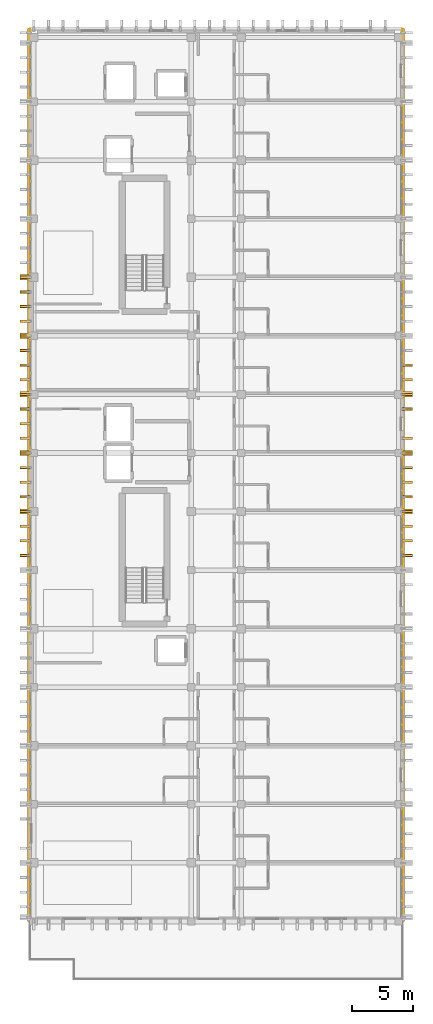
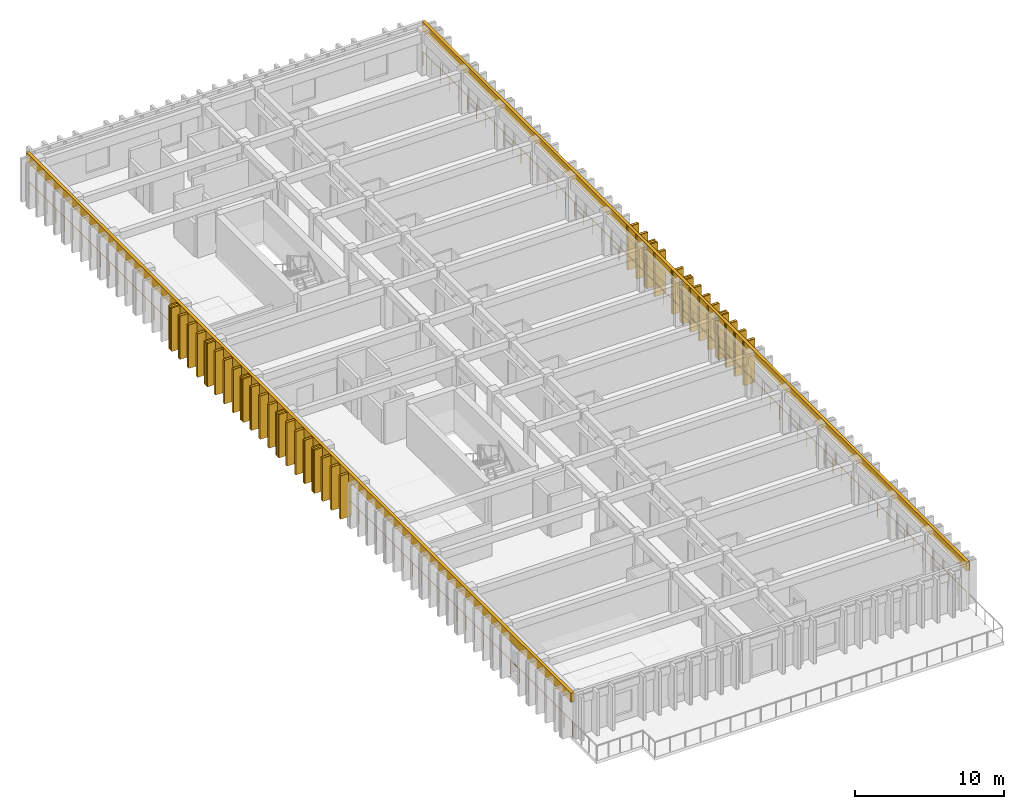
# One storey, part 51 of 53: 35 coverings, 33 shading devices, 2 railings.
"""IFC4 building model written with IfcOpenShell, lengths in metres."""

from ifc_helpers import new_model, si_unit, direction, frame, origin, origin_2d, place, context, subcontext, project, spatial, rectangle, circle, extrude, material, layer, layer_set, type_object, element, save


model = new_model("IFC4")

# Units and contexts
model_context = context("Model", 3, precision=1e-05, world=origin(), true_north=direction((0.0, 1.0)))
body_context = subcontext(model_context, "Body", "Model", "MODEL_VIEW")
ifc_project = project(units=[si_unit("LENGTHUNIT", "METRE"), si_unit("AREAUNIT", "SQUARE_METRE"), si_unit("VOLUMEUNIT", "CUBIC_METRE"), si_unit("PLANEANGLEUNIT", "RADIAN"), si_unit("MASSUNIT", "GRAM", prefix="KILO")], contexts=[model_context])

# Site, building, storey
site_placement = place(None, origin())
site = spatial("IfcSite", under=ifc_project, at=site_placement, CompositionType="ELEMENT")
building_placement = place(site_placement, origin())
building = spatial("IfcBuilding", under=site, at=building_placement, Name="Nakhvara Creek Congress Hotel", CompositionType="ELEMENT")
storey_placement = place(building_placement, frame((0.0, 0.0, 35.39990234375)))
storey = spatial("IfcBuildingStorey", under=building, at=storey_placement, Name="L08", CompositionType="ELEMENT", Elevation=35.39990234375)

# Coverings
ifc_material_1 = material(Name="Honed pale Omani limestone architectural cladding", Category="masonry")
ifc_layer_1 = layer(ifc_material_1, 0.219970703125)
ifc_layer_set_1 = layer_set([ifc_layer_1], Name="Honed pale Omani limestone architectural cladding")
covering_type_1 = type_object("IfcCoveringType", Name="COV-FIN-850", PredefinedType="CLADDING", material=ifc_layer_set_1)
for number, where, z_axis, x_axis, name in (
    (1, (180.054931640625, 82.800048828125, 0.0), (0.0, 0.0, 1.0), (0.0, 1.0, 0.0), "Pale Limestone Fin Cladding CF01-2022"),
    (2, (148.7451171875, 82.800048828125, 0.0), (0.0, 0.0, 1.0), (0.0, 1.0, 0.0), "Pale Limestone Fin Cladding CF01-2023"),
    (3, (180.054931640625, 84.0, 0.0), (0.0, 0.0, 1.0), (0.0, 1.0, 0.0), "Pale Limestone Fin Cladding CF01-2024"),
    (4, (148.7451171875, 84.0, 0.0), (0.0, 0.0, 1.0), (0.0, 1.0, 0.0), "Pale Limestone Fin Cladding CF01-2025"),
    (5, (180.054931640625, 85.199951171875, 0.0), (0.0, 0.0, 1.0), (0.0, 1.0, 0.0), "Pale Limestone Fin Cladding CF01-2026"),
    (6, (148.7451171875, 85.199951171875, 0.0), (0.0, 0.0, 1.0), (0.0, 1.0, 0.0), "Pale Limestone Fin Cladding CF01-2027"),
):
    element("IfcCovering", number, at=place(storey_placement, frame(where, z_axis=z_axis, x_axis=x_axis)), inside=storey, type_object=covering_type_1, Name=name, PredefinedType="CLADDING", context=body_context, shape_type="SweptSolid", body=[
        extrude(rectangle(XDim=0.219970703125, YDim=0.85009765625, at=origin_2d()), origin(), (0.0, 0.0, 1.0), 3.56005859375),
    ])
for number, where, z_axis, x_axis, name in (
    (7, (180.054931640625, 86.39990234375, 0.0), (0.0, 0.0, 1.0), (0.0, 1.0, 0.0), "Pale Limestone Fin Cladding CF01-2028"),
    (8, (148.7451171875, 86.39990234375, 0.0), (0.0, 0.0, 1.0), (0.0, 1.0, 0.0), "Pale Limestone Fin Cladding CF01-2029"),
):
    element("IfcCovering", number, at=place(storey_placement, frame(where, z_axis=z_axis, x_axis=x_axis)), inside=storey, type_object=covering_type_1, Name=name, PredefinedType="CLADDING", context=body_context, shape_type="SweptSolid", body=[
        extrude(rectangle(XDim=0.43994140625, YDim=0.85009765625, at=origin_2d()), origin(), (0.0, 0.0, 1.0), 3.56005859375),
    ])
for number, where, z_axis, x_axis, name in (
    (9, (180.054931640625, 87.60009765625, 0.0), (0.0, 0.0, 1.0), (0.0, 1.0, 0.0), "Pale Limestone Fin Cladding CF01-2030"),
    (10, (148.7451171875, 87.60009765625, 0.0), (0.0, 0.0, 1.0), (0.0, 1.0, 0.0), "Pale Limestone Fin Cladding CF01-2031"),
    (11, (180.054931640625, 88.800048828125, 0.0), (0.0, 0.0, 1.0), (0.0, 1.0, 0.0), "Pale Limestone Fin Cladding CF01-2032"),
    (12, (148.7451171875, 88.800048828125, 0.0), (0.0, 0.0, 1.0), (0.0, 1.0, 0.0), "Pale Limestone Fin Cladding CF01-2033"),
    (13, (180.054931640625, 90.0, 0.0), (0.0, 0.0, 1.0), (0.0, 1.0, 0.0), "Pale Limestone Fin Cladding CF01-2034"),
    (14, (148.7451171875, 90.0, 0.0), (0.0, 0.0, 1.0), (0.0, 1.0, 0.0), "Pale Limestone Fin Cladding CF01-2035"),
):
    element("IfcCovering", number, at=place(storey_placement, frame(where, z_axis=z_axis, x_axis=x_axis)), inside=storey, type_object=covering_type_1, Name=name, PredefinedType="CLADDING", context=body_context, shape_type="SweptSolid", body=[
        extrude(rectangle(XDim=0.219970703125, YDim=0.85009765625, at=origin_2d()), origin(), (0.0, 0.0, 1.0), 3.56005859375),
    ])
for number, where, z_axis, x_axis, name in (
    (15, (180.054931640625, 91.199951171875, 0.0), (0.0, 0.0, 1.0), (0.0, 1.0, 0.0), "Pale Limestone Fin Cladding CF01-2036"),
    (16, (148.7451171875, 91.199951171875, 0.0), (0.0, 0.0, 1.0), (0.0, 1.0, 0.0), "Pale Limestone Fin Cladding CF01-2037"),
):
    element("IfcCovering", number, at=place(storey_placement, frame(where, z_axis=z_axis, x_axis=x_axis)), inside=storey, type_object=covering_type_1, Name=name, PredefinedType="CLADDING", context=body_context, shape_type="SweptSolid", body=[
        extrude(rectangle(XDim=0.43994140625, YDim=0.85009765625, at=origin_2d()), origin(), (0.0, 0.0, 1.0), 3.56005859375),
    ])
for number, where, z_axis, x_axis, name in (
    (17, (180.054931640625, 92.39990234375, 0.0), (0.0, 0.0, 1.0), (0.0, 1.0, 0.0), "Pale Limestone Fin Cladding CF01-2038"),
    (18, (148.7451171875, 92.39990234375, 0.0), (0.0, 0.0, 1.0), (0.0, 1.0, 0.0), "Pale Limestone Fin Cladding CF01-2039"),
    (19, (148.7451171875, 93.60009765625, 0.0), (0.0, 0.0, 1.0), (0.0, 1.0, 0.0), "Pale Limestone Fin Cladding CF01-2040"),
    (20, (180.054931640625, 94.800048828125, 0.0), (0.0, 0.0, 1.0), (0.0, 1.0, 0.0), "Pale Limestone Fin Cladding CF01-2041"),
    (21, (148.7451171875, 94.800048828125, 0.0), (0.0, 0.0, 1.0), (0.0, 1.0, 0.0), "Pale Limestone Fin Cladding CF01-2042"),
):
    element("IfcCovering", number, at=place(storey_placement, frame(where, z_axis=z_axis, x_axis=x_axis)), inside=storey, type_object=covering_type_1, Name=name, PredefinedType="CLADDING", context=body_context, shape_type="SweptSolid", body=[
        extrude(rectangle(XDim=0.219970703125, YDim=0.85009765625, at=origin_2d()), origin(), (0.0, 0.0, 1.0), 3.56005859375),
    ])
for number, where, z_axis, x_axis, name in (
    (22, (180.054931640625, 96.0, 0.0), (0.0, 0.0, 1.0), (0.0, 1.0, 0.0), "Pale Limestone Fin Cladding CF01-2043"),
    (23, (148.7451171875, 96.0, 0.0), (0.0, 0.0, 1.0), (0.0, 1.0, 0.0), "Pale Limestone Fin Cladding CF01-2044"),
):
    element("IfcCovering", number, at=place(storey_placement, frame(where, z_axis=z_axis, x_axis=x_axis)), inside=storey, type_object=covering_type_1, Name=name, PredefinedType="CLADDING", context=body_context, shape_type="SweptSolid", body=[
        extrude(rectangle(XDim=0.43994140625, YDim=0.85009765625, at=origin_2d()), origin(), (0.0, 0.0, 1.0), 3.56005859375),
    ])
for number, where, z_axis, x_axis, name in (
    (24, (180.054931640625, 97.199951171875, 0.0), (0.0, 0.0, 1.0), (0.0, 1.0, 0.0), "Pale Limestone Fin Cladding CF01-2045"),
    (25, (148.7451171875, 97.199951171875, 0.0), (0.0, 0.0, 1.0), (0.0, 1.0, 0.0), "Pale Limestone Fin Cladding CF01-2046"),
    (26, (180.054931640625, 98.39990234375, 0.0), (0.0, 0.0, 1.0), (0.0, 1.0, 0.0), "Pale Limestone Fin Cladding CF01-2047"),
    (27, (148.7451171875, 98.39990234375, 0.0), (0.0, 0.0, 1.0), (0.0, 1.0, 0.0), "Pale Limestone Fin Cladding CF01-2048"),
    (28, (148.7451171875, 99.60009765625, 0.0), (0.0, 0.0, 1.0), (0.0, 1.0, 0.0), "Pale Limestone Fin Cladding CF01-2050"),
):
    element("IfcCovering", number, at=place(storey_placement, frame(where, z_axis=z_axis, x_axis=x_axis)), inside=storey, type_object=covering_type_1, Name=name, PredefinedType="CLADDING", context=body_context, shape_type="SweptSolid", body=[
        extrude(rectangle(XDim=0.219970703125, YDim=0.85009765625, at=origin_2d()), origin(), (0.0, 0.0, 1.0), 3.56005859375),
    ])
covering_1_placement = place(storey_placement, frame((148.7451171875, 100.800048828125, 0.0), z_axis=(0.0, 0.0, 1.0), x_axis=(0.0, 1.0, 0.0)))
element("IfcCovering", 29, at=covering_1_placement, inside=storey, type_object=covering_type_1, Name="Pale Limestone Fin Cladding CF01-2052", PredefinedType="CLADDING", context=body_context, shape_type="SweptSolid", body=[
    extrude(rectangle(XDim=0.43994140625, YDim=0.85009765625, at=origin_2d()), origin(), (0.0, 0.0, 1.0), 3.56005859375),
])
for number, where, z_axis, x_axis, name in (
    (30, (148.7451171875, 102.0, 0.0), (0.0, 0.0, 1.0), (0.0, 1.0, 0.0), "Pale Limestone Fin Cladding CF01-2054"),
    (31, (148.7451171875, 103.199951171875, 0.0), (0.0, 0.0, 1.0), (0.0, 1.0, 0.0), "Pale Limestone Fin Cladding CF01-2056"),
    (32, (148.7451171875, 104.39990234375, 0.0), (0.0, 0.0, 1.0), (0.0, 1.0, 0.0), "Pale Limestone Fin Cladding CF01-2058"),
):
    element("IfcCovering", number, at=place(storey_placement, frame(where, z_axis=z_axis, x_axis=x_axis)), inside=storey, type_object=covering_type_1, Name=name, PredefinedType="CLADDING", context=body_context, shape_type="SweptSolid", body=[
        extrude(rectangle(XDim=0.219970703125, YDim=0.85009765625, at=origin_2d()), origin(), (0.0, 0.0, 1.0), 3.56005859375),
    ])
covering_2_placement = place(storey_placement, frame((148.7451171875, 105.60009765625, 0.0), z_axis=(0.0, 0.0, 1.0), x_axis=(0.0, 1.0, 0.0)))
element("IfcCovering", 33, at=covering_2_placement, inside=storey, type_object=covering_type_1, Name="Pale Limestone Fin Cladding CF01-2060", PredefinedType="CLADDING", context=body_context, shape_type="SweptSolid", body=[
    extrude(rectangle(XDim=0.43994140625, YDim=0.85009765625, at=origin_2d()), origin(), (0.0, 0.0, 1.0), 3.56005859375),
])
ifc_layer_2 = layer(ifc_material_1, 0.179931640625)
ifc_layer_set_2 = layer_set([ifc_layer_2], Name="Honed pale Omani limestone architectural cladding")
covering_type_2 = type_object("IfcCoveringType", Name="COV-SPN-180", PredefinedType="CLADDING", material=ifc_layer_set_2)
for number, where, z_axis, x_axis, name in (
    (34, (179.739990234375, 89.39990234375, 2.91015625), (0.0, 0.0, 1.0), (0.0, 1.0, 0.0), "Pale Limestone Spandrel Band CF02-0073"),
    (35, (149.06005859375, 89.39990234375, 2.91015625), (0.0, 0.0, 1.0), (0.0, 1.0, 0.0), "Pale Limestone Spandrel Band CF02-0074"),
):
    element("IfcCovering", number, at=place(storey_placement, frame(where, z_axis=z_axis, x_axis=x_axis)), inside=storey, type_object=covering_type_2, Name=name, PredefinedType="CLADDING", context=body_context, shape_type="SweptSolid", body=[
        extrude(rectangle(XDim=73.199951171875, YDim=0.219970703125, at=origin_2d()), origin(), (0.0, 0.0, 1.0), 0.72998046875),
    ])

# Railings
ifc_material_2 = material(Name="Brushed stainless steel 316L", Category="steel")
railing_type = type_object("IfcRailingType", Name="RL-GUARD-1200", PredefinedType="GUARDRAIL", material=ifc_material_2)
railing_1_placement = place(storey_placement, frame((179.669921875, 52.8798828125, 0.0)))
element("IfcRailing", 36, at=railing_1_placement, inside=storey, type_object=railing_type, Name="Perimeter Safety Rail East L08", PredefinedType="GUARDRAIL", context=body_context, shape_type="SweptSolid", body=[
    extrude(circle(Radius=0.02392578125, at=origin_2d()), frame((0.0, 0.0146484375, 1.17578125), z_axis=(0.0, 1.0, 0.0), x_axis=(-1.0, 0.0, 0.0)), (0.0, 0.0, 1.0), 73.0107421875),
    extrude(circle(Radius=0.02099609375, at=origin_2d()), origin(), (0.0, 0.0, 1.0), 1.1806640625),
    extrude(circle(Radius=0.02099609375, at=origin_2d()), frame((0.0, 1.197265625, 0.0)), (0.0, 0.0, 1.0), 1.1806640625),
    extrude(circle(Radius=0.02099609375, at=origin_2d()), frame((0.0, 2.394775390625, 0.0)), (0.0, 0.0, 1.0), 1.1806640625),
    extrude(circle(Radius=0.02099609375, at=origin_2d()), frame((0.0, 3.592041015625, 0.0)), (0.0, 0.0, 1.0), 1.1806640625),
    extrude(circle(Radius=0.02099609375, at=origin_2d()), frame((0.0, 4.78955078125, 0.0)), (0.0, 0.0, 1.0), 1.1806640625),
    extrude(circle(Radius=0.02099609375, at=origin_2d()), frame((0.0, 5.98681640625, 0.0)), (0.0, 0.0, 1.0), 1.1806640625),
    extrude(circle(Radius=0.02099609375, at=origin_2d()), frame((0.0, 7.184326171875, 0.0)), (0.0, 0.0, 1.0), 1.1806640625),
    extrude(circle(Radius=0.02099609375, at=origin_2d()), frame((0.0, 8.381591796875, 0.0)), (0.0, 0.0, 1.0), 1.1806640625),
    extrude(circle(Radius=0.02099609375, at=origin_2d()), frame((0.0, 9.5791015625, 0.0)), (0.0, 0.0, 1.0), 1.1806640625),
    extrude(circle(Radius=0.02099609375, at=origin_2d()), frame((0.0, 10.7763671875, 0.0)), (0.0, 0.0, 1.0), 1.1806640625),
    extrude(circle(Radius=0.02099609375, at=origin_2d()), frame((0.0, 11.973876953125, 0.0)), (0.0, 0.0, 1.0), 1.1806640625),
    extrude(circle(Radius=0.02099609375, at=origin_2d()), frame((0.0, 13.171142578125, 0.0)), (0.0, 0.0, 1.0), 1.1806640625),
    extrude(circle(Radius=0.02099609375, at=origin_2d()), frame((0.0, 14.36865234375, 0.0)), (0.0, 0.0, 1.0), 1.1806640625),
    extrude(circle(Radius=0.02099609375, at=origin_2d()), frame((0.0, 15.56591796875, 0.0)), (0.0, 0.0, 1.0), 1.1806640625),
    extrude(circle(Radius=0.02099609375, at=origin_2d()), frame((0.0, 16.76318359375, 0.0)), (0.0, 0.0, 1.0), 1.1806640625),
    extrude(circle(Radius=0.02099609375, at=origin_2d()), frame((0.0, 17.960693359375, 0.0)), (0.0, 0.0, 1.0), 1.1806640625),
    extrude(circle(Radius=0.02099609375, at=origin_2d()), frame((0.0, 19.157958984375, 0.0)), (0.0, 0.0, 1.0), 1.1806640625),
    extrude(circle(Radius=0.02099609375, at=origin_2d()), frame((0.0, 20.35546875, 0.0)), (0.0, 0.0, 1.0), 1.1806640625),
    extrude(circle(Radius=0.02099609375, at=origin_2d()), frame((0.0, 21.552734375, 0.0)), (0.0, 0.0, 1.0), 1.1806640625),
    extrude(circle(Radius=0.02099609375, at=origin_2d()), frame((0.0, 22.750244140625, 0.0)), (0.0, 0.0, 1.0), 1.1806640625),
    extrude(circle(Radius=0.02099609375, at=origin_2d()), frame((0.0, 23.947509765625, 0.0)), (0.0, 0.0, 1.0), 1.1806640625),
    extrude(circle(Radius=0.02099609375, at=origin_2d()), frame((0.0, 25.14501953125, 0.0)), (0.0, 0.0, 1.0), 1.1806640625),
    extrude(circle(Radius=0.02099609375, at=origin_2d()), frame((0.0, 26.34228515625, 0.0)), (0.0, 0.0, 1.0), 1.1806640625),
    extrude(circle(Radius=0.02099609375, at=origin_2d()), frame((0.0, 27.539794921875, 0.0)), (0.0, 0.0, 1.0), 1.1806640625),
    extrude(circle(Radius=0.02099609375, at=origin_2d()), frame((0.0, 28.737060546875, 0.0)), (0.0, 0.0, 1.0), 1.1806640625),
    extrude(circle(Radius=0.02099609375, at=origin_2d()), frame((0.0, 29.934326171875, 0.0)), (0.0, 0.0, 1.0), 1.1806640625),
    extrude(circle(Radius=0.02099609375, at=origin_2d()), frame((0.0, 31.1318359375, 0.0)), (0.0, 0.0, 1.0), 1.1806640625),
    extrude(circle(Radius=0.02099609375, at=origin_2d()), frame((0.0, 32.3291015625, 0.0)), (0.0, 0.0, 1.0), 1.1806640625),
    extrude(circle(Radius=0.02099609375, at=origin_2d()), frame((0.0, 33.526611328125, 0.0)), (0.0, 0.0, 1.0), 1.1806640625),
    extrude(circle(Radius=0.02099609375, at=origin_2d()), frame((0.0, 34.723876953125, 0.0)), (0.0, 0.0, 1.0), 1.1806640625),
    extrude(circle(Radius=0.02099609375, at=origin_2d()), frame((0.0, 35.92138671875, 0.0)), (0.0, 0.0, 1.0), 1.1806640625),
    extrude(circle(Radius=0.02099609375, at=origin_2d()), frame((0.0, 37.11865234375, 0.0)), (0.0, 0.0, 1.0), 1.1806640625),
    extrude(circle(Radius=0.02099609375, at=origin_2d()), frame((0.0, 38.316162109375, 0.0)), (0.0, 0.0, 1.0), 1.1806640625),
    extrude(circle(Radius=0.02099609375, at=origin_2d()), frame((0.0, 39.513427734375, 0.0)), (0.0, 0.0, 1.0), 1.1806640625),
    extrude(circle(Radius=0.02099609375, at=origin_2d()), frame((0.0, 40.7109375, 0.0)), (0.0, 0.0, 1.0), 1.1806640625),
    extrude(circle(Radius=0.02099609375, at=origin_2d()), frame((0.0, 41.908203125, 0.0)), (0.0, 0.0, 1.0), 1.1806640625),
    extrude(circle(Radius=0.02099609375, at=origin_2d()), frame((0.0, 43.105712890625, 0.0)), (0.0, 0.0, 1.0), 1.1806640625),
    extrude(circle(Radius=0.02099609375, at=origin_2d()), frame((0.0, 44.302978515625, 0.0)), (0.0, 0.0, 1.0), 1.1806640625),
    extrude(circle(Radius=0.02099609375, at=origin_2d()), frame((0.0, 45.500244140625, 0.0)), (0.0, 0.0, 1.0), 1.1806640625),
    extrude(circle(Radius=0.02099609375, at=origin_2d()), frame((0.0, 46.69775390625, 0.0)), (0.0, 0.0, 1.0), 1.1806640625),
    extrude(circle(Radius=0.02099609375, at=origin_2d()), frame((0.0, 47.89501953125, 0.0)), (0.0, 0.0, 1.0), 1.1806640625),
    extrude(circle(Radius=0.02099609375, at=origin_2d()), frame((0.0, 49.092529296875, 0.0)), (0.0, 0.0, 1.0), 1.1806640625),
    extrude(circle(Radius=0.02099609375, at=origin_2d()), frame((0.0, 50.289794921875, 0.0)), (0.0, 0.0, 1.0), 1.1806640625),
    extrude(circle(Radius=0.02099609375, at=origin_2d()), frame((0.0, 51.4873046875, 0.0)), (0.0, 0.0, 1.0), 1.1806640625),
    extrude(circle(Radius=0.02099609375, at=origin_2d()), frame((0.0, 52.6845703125, 0.0)), (0.0, 0.0, 1.0), 1.1806640625),
    extrude(circle(Radius=0.02099609375, at=origin_2d()), frame((0.0, 53.882080078125, 0.0)), (0.0, 0.0, 1.0), 1.1806640625),
    extrude(circle(Radius=0.02099609375, at=origin_2d()), frame((0.0, 55.079345703125, 0.0)), (0.0, 0.0, 1.0), 1.1806640625),
    extrude(circle(Radius=0.02099609375, at=origin_2d()), frame((0.0, 56.27685546875, 0.0)), (0.0, 0.0, 1.0), 1.1806640625),
    extrude(circle(Radius=0.02099609375, at=origin_2d()), frame((0.0, 57.47412109375, 0.0)), (0.0, 0.0, 1.0), 1.1806640625),
    extrude(circle(Radius=0.02099609375, at=origin_2d()), frame((0.0, 58.67138671875, 0.0)), (0.0, 0.0, 1.0), 1.1806640625),
    extrude(circle(Radius=0.02099609375, at=origin_2d()), frame((0.0, 59.868896484375, 0.0)), (0.0, 0.0, 1.0), 1.1806640625),
    extrude(circle(Radius=0.02099609375, at=origin_2d()), frame((0.0, 61.066162109375, 0.0)), (0.0, 0.0, 1.0), 1.1806640625),
    extrude(circle(Radius=0.02099609375, at=origin_2d()), frame((0.0, 62.263671875, 0.0)), (0.0, 0.0, 1.0), 1.1806640625),
    extrude(circle(Radius=0.02099609375, at=origin_2d()), frame((0.0, 63.4609375, 0.0)), (0.0, 0.0, 1.0), 1.1806640625),
    extrude(circle(Radius=0.02099609375, at=origin_2d()), frame((0.0, 64.658447265625, 0.0)), (0.0, 0.0, 1.0), 1.1806640625),
    extrude(circle(Radius=0.02099609375, at=origin_2d()), frame((0.0, 65.855712890625, 0.0)), (0.0, 0.0, 1.0), 1.1806640625),
    extrude(circle(Radius=0.02099609375, at=origin_2d()), frame((0.0, 67.05322265625, 0.0)), (0.0, 0.0, 1.0), 1.1806640625),
    extrude(circle(Radius=0.02099609375, at=origin_2d()), frame((0.0, 68.25048828125, 0.0)), (0.0, 0.0, 1.0), 1.1806640625),
    extrude(circle(Radius=0.02099609375, at=origin_2d()), frame((0.0, 69.447998046875, 0.0)), (0.0, 0.0, 1.0), 1.1806640625),
    extrude(circle(Radius=0.02099609375, at=origin_2d()), frame((0.0, 70.645263671875, 0.0)), (0.0, 0.0, 1.0), 1.1806640625),
    extrude(circle(Radius=0.02099609375, at=origin_2d()), frame((0.0, 71.8427734375, 0.0)), (0.0, 0.0, 1.0), 1.1806640625),
    extrude(circle(Radius=0.02099609375, at=origin_2d()), frame((0.0, 73.0400390625, 0.0)), (0.0, 0.0, 1.0), 1.1806640625),
])
railing_2_placement = place(storey_placement, frame((149.1298828125, 52.8798828125, 0.0)))
element("IfcRailing", 37, at=railing_2_placement, inside=storey, type_object=railing_type, Name="Perimeter Safety Rail West L08", PredefinedType="GUARDRAIL", context=body_context, shape_type="SweptSolid", body=[
    extrude(circle(Radius=0.02392578125, at=origin_2d()), frame((0.0, 0.0146484375, 1.17578125), z_axis=(0.0, 1.0, 0.0), x_axis=(-1.0, 0.0, 0.0)), (0.0, 0.0, 1.0), 73.0107421875),
    extrude(circle(Radius=0.02099609375, at=origin_2d()), origin(), (0.0, 0.0, 1.0), 1.1806640625),
    extrude(circle(Radius=0.02099609375, at=origin_2d()), frame((0.0, 1.197265625, 0.0)), (0.0, 0.0, 1.0), 1.1806640625),
    extrude(circle(Radius=0.02099609375, at=origin_2d()), frame((0.0, 2.394775390625, 0.0)), (0.0, 0.0, 1.0), 1.1806640625),
    extrude(circle(Radius=0.02099609375, at=origin_2d()), frame((0.0, 3.592041015625, 0.0)), (0.0, 0.0, 1.0), 1.1806640625),
    extrude(circle(Radius=0.02099609375, at=origin_2d()), frame((0.0, 4.78955078125, 0.0)), (0.0, 0.0, 1.0), 1.1806640625),
    extrude(circle(Radius=0.02099609375, at=origin_2d()), frame((0.0, 5.98681640625, 0.0)), (0.0, 0.0, 1.0), 1.1806640625),
    extrude(circle(Radius=0.02099609375, at=origin_2d()), frame((0.0, 7.184326171875, 0.0)), (0.0, 0.0, 1.0), 1.1806640625),
    extrude(circle(Radius=0.02099609375, at=origin_2d()), frame((0.0, 8.381591796875, 0.0)), (0.0, 0.0, 1.0), 1.1806640625),
    extrude(circle(Radius=0.02099609375, at=origin_2d()), frame((0.0, 9.5791015625, 0.0)), (0.0, 0.0, 1.0), 1.1806640625),
    extrude(circle(Radius=0.02099609375, at=origin_2d()), frame((0.0, 10.7763671875, 0.0)), (0.0, 0.0, 1.0), 1.1806640625),
    extrude(circle(Radius=0.02099609375, at=origin_2d()), frame((0.0, 11.973876953125, 0.0)), (0.0, 0.0, 1.0), 1.1806640625),
    extrude(circle(Radius=0.02099609375, at=origin_2d()), frame((0.0, 13.171142578125, 0.0)), (0.0, 0.0, 1.0), 1.1806640625),
    extrude(circle(Radius=0.02099609375, at=origin_2d()), frame((0.0, 14.36865234375, 0.0)), (0.0, 0.0, 1.0), 1.1806640625),
    extrude(circle(Radius=0.02099609375, at=origin_2d()), frame((0.0, 15.56591796875, 0.0)), (0.0, 0.0, 1.0), 1.1806640625),
    extrude(circle(Radius=0.02099609375, at=origin_2d()), frame((0.0, 16.76318359375, 0.0)), (0.0, 0.0, 1.0), 1.1806640625),
    extrude(circle(Radius=0.02099609375, at=origin_2d()), frame((0.0, 17.960693359375, 0.0)), (0.0, 0.0, 1.0), 1.1806640625),
    extrude(circle(Radius=0.02099609375, at=origin_2d()), frame((0.0, 19.157958984375, 0.0)), (0.0, 0.0, 1.0), 1.1806640625),
    extrude(circle(Radius=0.02099609375, at=origin_2d()), frame((0.0, 20.35546875, 0.0)), (0.0, 0.0, 1.0), 1.1806640625),
    extrude(circle(Radius=0.02099609375, at=origin_2d()), frame((0.0, 21.552734375, 0.0)), (0.0, 0.0, 1.0), 1.1806640625),
    extrude(circle(Radius=0.02099609375, at=origin_2d()), frame((0.0, 22.750244140625, 0.0)), (0.0, 0.0, 1.0), 1.1806640625),
    extrude(circle(Radius=0.02099609375, at=origin_2d()), frame((0.0, 23.947509765625, 0.0)), (0.0, 0.0, 1.0), 1.1806640625),
    extrude(circle(Radius=0.02099609375, at=origin_2d()), frame((0.0, 25.14501953125, 0.0)), (0.0, 0.0, 1.0), 1.1806640625),
    extrude(circle(Radius=0.02099609375, at=origin_2d()), frame((0.0, 26.34228515625, 0.0)), (0.0, 0.0, 1.0), 1.1806640625),
    extrude(circle(Radius=0.02099609375, at=origin_2d()), frame((0.0, 27.539794921875, 0.0)), (0.0, 0.0, 1.0), 1.1806640625),
    extrude(circle(Radius=0.02099609375, at=origin_2d()), frame((0.0, 28.737060546875, 0.0)), (0.0, 0.0, 1.0), 1.1806640625),
    extrude(circle(Radius=0.02099609375, at=origin_2d()), frame((0.0, 29.934326171875, 0.0)), (0.0, 0.0, 1.0), 1.1806640625),
    extrude(circle(Radius=0.02099609375, at=origin_2d()), frame((0.0, 31.1318359375, 0.0)), (0.0, 0.0, 1.0), 1.1806640625),
    extrude(circle(Radius=0.02099609375, at=origin_2d()), frame((0.0, 32.3291015625, 0.0)), (0.0, 0.0, 1.0), 1.1806640625),
    extrude(circle(Radius=0.02099609375, at=origin_2d()), frame((0.0, 33.526611328125, 0.0)), (0.0, 0.0, 1.0), 1.1806640625),
    extrude(circle(Radius=0.02099609375, at=origin_2d()), frame((0.0, 34.723876953125, 0.0)), (0.0, 0.0, 1.0), 1.1806640625),
    extrude(circle(Radius=0.02099609375, at=origin_2d()), frame((0.0, 35.92138671875, 0.0)), (0.0, 0.0, 1.0), 1.1806640625),
    extrude(circle(Radius=0.02099609375, at=origin_2d()), frame((0.0, 37.11865234375, 0.0)), (0.0, 0.0, 1.0), 1.1806640625),
    extrude(circle(Radius=0.02099609375, at=origin_2d()), frame((0.0, 38.316162109375, 0.0)), (0.0, 0.0, 1.0), 1.1806640625),
    extrude(circle(Radius=0.02099609375, at=origin_2d()), frame((0.0, 39.513427734375, 0.0)), (0.0, 0.0, 1.0), 1.1806640625),
    extrude(circle(Radius=0.02099609375, at=origin_2d()), frame((0.0, 40.7109375, 0.0)), (0.0, 0.0, 1.0), 1.1806640625),
    extrude(circle(Radius=0.02099609375, at=origin_2d()), frame((0.0, 41.908203125, 0.0)), (0.0, 0.0, 1.0), 1.1806640625),
    extrude(circle(Radius=0.02099609375, at=origin_2d()), frame((0.0, 43.105712890625, 0.0)), (0.0, 0.0, 1.0), 1.1806640625),
    extrude(circle(Radius=0.02099609375, at=origin_2d()), frame((0.0, 44.302978515625, 0.0)), (0.0, 0.0, 1.0), 1.1806640625),
    extrude(circle(Radius=0.02099609375, at=origin_2d()), frame((0.0, 45.500244140625, 0.0)), (0.0, 0.0, 1.0), 1.1806640625),
    extrude(circle(Radius=0.02099609375, at=origin_2d()), frame((0.0, 46.69775390625, 0.0)), (0.0, 0.0, 1.0), 1.1806640625),
    extrude(circle(Radius=0.02099609375, at=origin_2d()), frame((0.0, 47.89501953125, 0.0)), (0.0, 0.0, 1.0), 1.1806640625),
    extrude(circle(Radius=0.02099609375, at=origin_2d()), frame((0.0, 49.092529296875, 0.0)), (0.0, 0.0, 1.0), 1.1806640625),
    extrude(circle(Radius=0.02099609375, at=origin_2d()), frame((0.0, 50.289794921875, 0.0)), (0.0, 0.0, 1.0), 1.1806640625),
    extrude(circle(Radius=0.02099609375, at=origin_2d()), frame((0.0, 51.4873046875, 0.0)), (0.0, 0.0, 1.0), 1.1806640625),
    extrude(circle(Radius=0.02099609375, at=origin_2d()), frame((0.0, 52.6845703125, 0.0)), (0.0, 0.0, 1.0), 1.1806640625),
    extrude(circle(Radius=0.02099609375, at=origin_2d()), frame((0.0, 53.882080078125, 0.0)), (0.0, 0.0, 1.0), 1.1806640625),
    extrude(circle(Radius=0.02099609375, at=origin_2d()), frame((0.0, 55.079345703125, 0.0)), (0.0, 0.0, 1.0), 1.1806640625),
    extrude(circle(Radius=0.02099609375, at=origin_2d()), frame((0.0, 56.27685546875, 0.0)), (0.0, 0.0, 1.0), 1.1806640625),
    extrude(circle(Radius=0.02099609375, at=origin_2d()), frame((0.0, 57.47412109375, 0.0)), (0.0, 0.0, 1.0), 1.1806640625),
    extrude(circle(Radius=0.02099609375, at=origin_2d()), frame((0.0, 58.67138671875, 0.0)), (0.0, 0.0, 1.0), 1.1806640625),
    extrude(circle(Radius=0.02099609375, at=origin_2d()), frame((0.0, 59.868896484375, 0.0)), (0.0, 0.0, 1.0), 1.1806640625),
    extrude(circle(Radius=0.02099609375, at=origin_2d()), frame((0.0, 61.066162109375, 0.0)), (0.0, 0.0, 1.0), 1.1806640625),
    extrude(circle(Radius=0.02099609375, at=origin_2d()), frame((0.0, 62.263671875, 0.0)), (0.0, 0.0, 1.0), 1.1806640625),
    extrude(circle(Radius=0.02099609375, at=origin_2d()), frame((0.0, 63.4609375, 0.0)), (0.0, 0.0, 1.0), 1.1806640625),
    extrude(circle(Radius=0.02099609375, at=origin_2d()), frame((0.0, 64.658447265625, 0.0)), (0.0, 0.0, 1.0), 1.1806640625),
    extrude(circle(Radius=0.02099609375, at=origin_2d()), frame((0.0, 65.855712890625, 0.0)), (0.0, 0.0, 1.0), 1.1806640625),
    extrude(circle(Radius=0.02099609375, at=origin_2d()), frame((0.0, 67.05322265625, 0.0)), (0.0, 0.0, 1.0), 1.1806640625),
    extrude(circle(Radius=0.02099609375, at=origin_2d()), frame((0.0, 68.25048828125, 0.0)), (0.0, 0.0, 1.0), 1.1806640625),
    extrude(circle(Radius=0.02099609375, at=origin_2d()), frame((0.0, 69.447998046875, 0.0)), (0.0, 0.0, 1.0), 1.1806640625),
    extrude(circle(Radius=0.02099609375, at=origin_2d()), frame((0.0, 70.645263671875, 0.0)), (0.0, 0.0, 1.0), 1.1806640625),
    extrude(circle(Radius=0.02099609375, at=origin_2d()), frame((0.0, 71.8427734375, 0.0)), (0.0, 0.0, 1.0), 1.1806640625),
    extrude(circle(Radius=0.02099609375, at=origin_2d()), frame((0.0, 73.0400390625, 0.0)), (0.0, 0.0, 1.0), 1.1806640625),
])

# Shading devices
ifc_material_3 = material(Name="Honed pale Omani limestone cladding on stainless steel spine", Category="masonry")
shading_device_type = type_object("IfcShadingDeviceType", Name="SHD-FIN-850X3600", PredefinedType="USERDEFINED", material=ifc_material_3)
for number, where, z_axis, x_axis, name in (
    (38, (180.054931640625, 82.800048828125, 0.0), (0.0, 0.0, 1.0), (0.0, 1.0, 0.0), "Limestone Solar Fin FN01-1887"),
    (39, (148.7451171875, 82.800048828125, 0.0), (0.0, 0.0, 1.0), (0.0, 1.0, 0.0), "Limestone Solar Fin FN01-1888"),
    (40, (180.054931640625, 84.0, 0.0), (0.0, 0.0, 1.0), (0.0, 1.0, 0.0), "Limestone Solar Fin FN01-1889"),
    (41, (148.7451171875, 84.0, 0.0), (0.0, 0.0, 1.0), (0.0, 1.0, 0.0), "Limestone Solar Fin FN01-1890"),
    (42, (180.054931640625, 85.199951171875, 0.0), (0.0, 0.0, 1.0), (0.0, 1.0, 0.0), "Limestone Solar Fin FN01-1891"),
    (43, (148.7451171875, 85.199951171875, 0.0), (0.0, 0.0, 1.0), (0.0, 1.0, 0.0), "Limestone Solar Fin FN01-1892"),
    (44, (180.054931640625, 86.39990234375, 0.0), (0.0, 0.0, 1.0), (0.0, 1.0, 0.0), "Limestone Solar Fin FN01-1893"),
    (45, (148.7451171875, 86.39990234375, 0.0), (0.0, 0.0, 1.0), (0.0, 1.0, 0.0), "Limestone Solar Fin FN01-1894"),
    (46, (180.054931640625, 87.60009765625, 0.0), (0.0, 0.0, 1.0), (0.0, 1.0, 0.0), "Limestone Solar Fin FN01-1895"),
    (47, (148.7451171875, 87.60009765625, 0.0), (0.0, 0.0, 1.0), (0.0, 1.0, 0.0), "Limestone Solar Fin FN01-1896"),
    (48, (180.054931640625, 88.800048828125, 0.0), (0.0, 0.0, 1.0), (0.0, 1.0, 0.0), "Limestone Solar Fin FN01-1897"),
    (49, (148.7451171875, 88.800048828125, 0.0), (0.0, 0.0, 1.0), (0.0, 1.0, 0.0), "Limestone Solar Fin FN01-1898"),
    (50, (180.054931640625, 90.0, 0.0), (0.0, 0.0, 1.0), (0.0, 1.0, 0.0), "Limestone Solar Fin FN01-1899"),
    (51, (148.7451171875, 90.0, 0.0), (0.0, 0.0, 1.0), (0.0, 1.0, 0.0), "Limestone Solar Fin FN01-1900"),
    (52, (180.054931640625, 91.199951171875, 0.0), (0.0, 0.0, 1.0), (0.0, 1.0, 0.0), "Limestone Solar Fin FN01-1901"),
    (53, (148.7451171875, 91.199951171875, 0.0), (0.0, 0.0, 1.0), (0.0, 1.0, 0.0), "Limestone Solar Fin FN01-1902"),
    (54, (180.054931640625, 92.39990234375, 0.0), (0.0, 0.0, 1.0), (0.0, 1.0, 0.0), "Limestone Solar Fin FN01-1903"),
    (55, (148.7451171875, 92.39990234375, 0.0), (0.0, 0.0, 1.0), (0.0, 1.0, 0.0), "Limestone Solar Fin FN01-1904"),
    (56, (148.7451171875, 93.60009765625, 0.0), (0.0, 0.0, 1.0), (0.0, 1.0, 0.0), "Limestone Solar Fin FN01-1905"),
    (57, (180.054931640625, 94.800048828125, 0.0), (0.0, 0.0, 1.0), (0.0, 1.0, 0.0), "Limestone Solar Fin FN01-1906"),
    (58, (148.7451171875, 94.800048828125, 0.0), (0.0, 0.0, 1.0), (0.0, 1.0, 0.0), "Limestone Solar Fin FN01-1907"),
    (59, (180.054931640625, 96.0, 0.0), (0.0, 0.0, 1.0), (0.0, 1.0, 0.0), "Limestone Solar Fin FN01-1908"),
    (60, (148.7451171875, 96.0, 0.0), (0.0, 0.0, 1.0), (0.0, 1.0, 0.0), "Limestone Solar Fin FN01-1909"),
    (61, (180.054931640625, 97.199951171875, 0.0), (0.0, 0.0, 1.0), (0.0, 1.0, 0.0), "Limestone Solar Fin FN01-1910"),
    (62, (148.7451171875, 97.199951171875, 0.0), (0.0, 0.0, 1.0), (0.0, 1.0, 0.0), "Limestone Solar Fin FN01-1911"),
    (63, (180.054931640625, 98.39990234375, 0.0), (0.0, 0.0, 1.0), (0.0, 1.0, 0.0), "Limestone Solar Fin FN01-1912"),
    (64, (148.7451171875, 98.39990234375, 0.0), (0.0, 0.0, 1.0), (0.0, 1.0, 0.0), "Limestone Solar Fin FN01-1913"),
    (65, (148.7451171875, 99.60009765625, 0.0), (0.0, 0.0, 1.0), (0.0, 1.0, 0.0), "Limestone Solar Fin FN01-1915"),
    (66, (148.7451171875, 100.800048828125, 0.0), (0.0, 0.0, 1.0), (0.0, 1.0, 0.0), "Limestone Solar Fin FN01-1917"),
    (67, (148.7451171875, 102.0, 0.0), (0.0, 0.0, 1.0), (0.0, 1.0, 0.0), "Limestone Solar Fin FN01-1919"),
    (68, (148.7451171875, 103.199951171875, 0.0), (0.0, 0.0, 1.0), (0.0, 1.0, 0.0), "Limestone Solar Fin FN01-1921"),
    (69, (148.7451171875, 104.39990234375, 0.0), (0.0, 0.0, 1.0), (0.0, 1.0, 0.0), "Limestone Solar Fin FN01-1923"),
    (70, (148.7451171875, 105.60009765625, 0.0), (0.0, 0.0, 1.0), (0.0, 1.0, 0.0), "Limestone Solar Fin FN01-1925"),
):
    element("IfcShadingDevice", number, at=place(storey_placement, frame(where, z_axis=z_axis, x_axis=x_axis)), inside=storey, type_object=shading_device_type, Name=name, ObjectType="FIN", PredefinedType="USERDEFINED", context=body_context, shape_type="SweptSolid", body=[
        extrude(rectangle(XDim=0.179931640625, YDim=0.85009765625, at=origin_2d()), origin(), (0.0, 0.0, 1.0), 3.56005859375),
    ])

save(model, "model.ifc")
